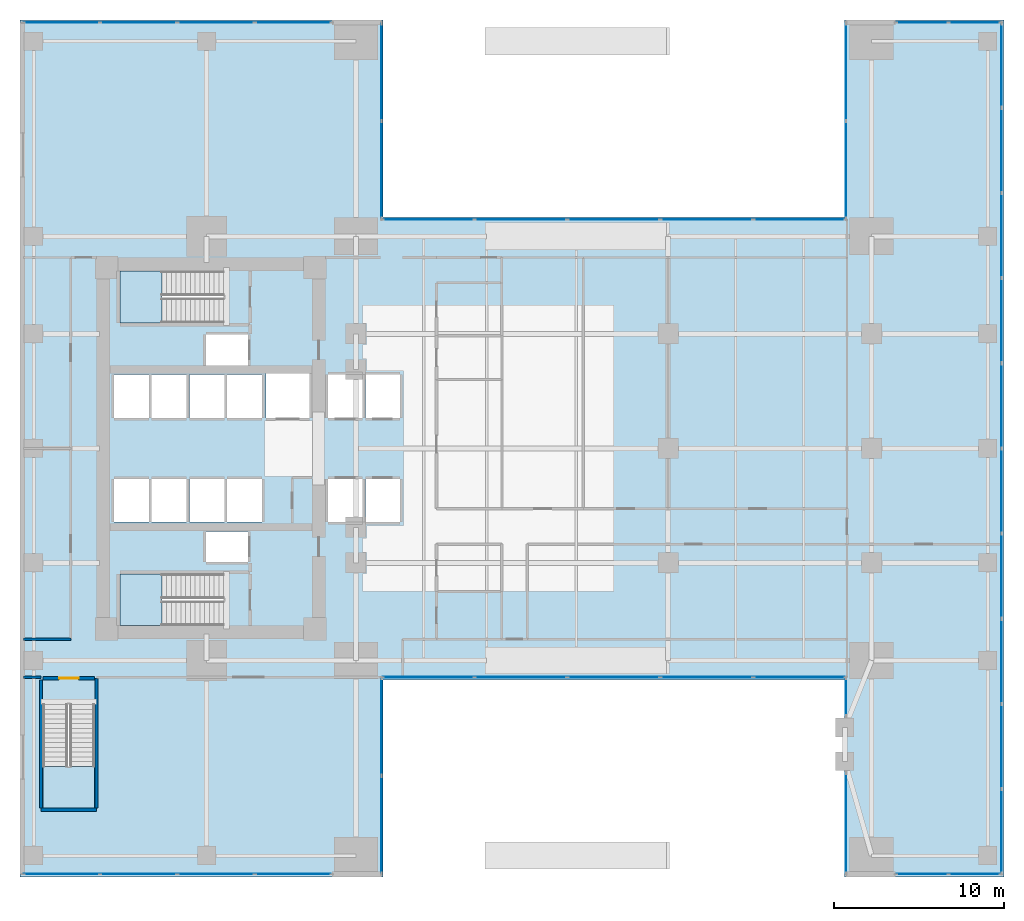
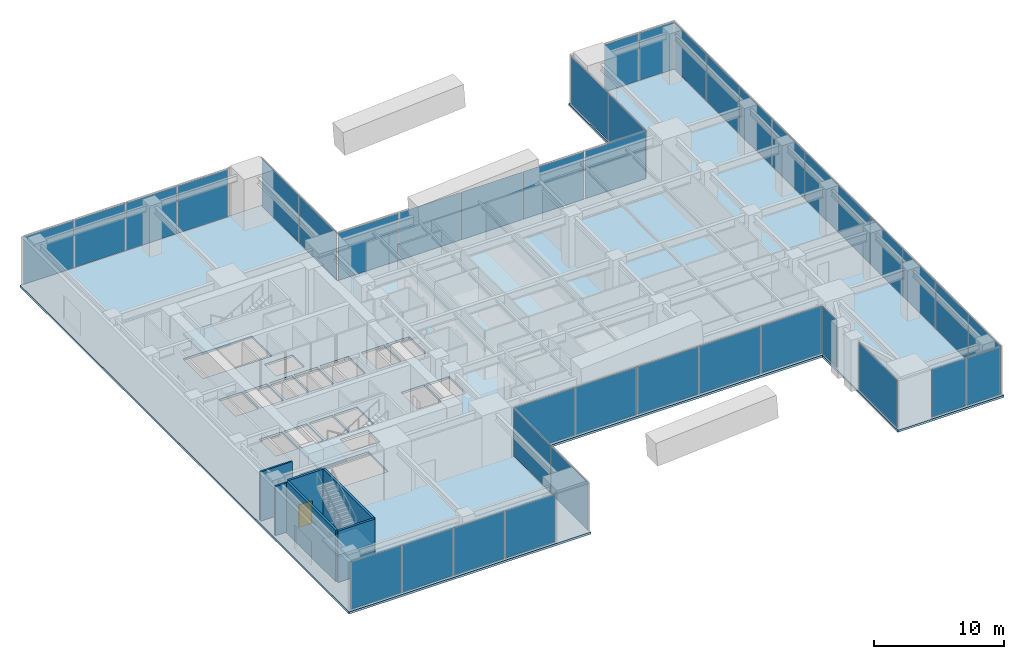
# One storey, part 7 of 13: 40 plates, 6 walls, 4 slabs, 1 door, 1 opening, 15 elements without a shape of their own.
"""IFC4 building model written with IfcOpenShell, lengths in metres."""

from ifc_helpers import new_model, si_unit, direction, frame, frame_2d, origin, origin_2d, place, context, subcontext, project, spatial, polyline, rectangle, outline, extrude, material, layer, layer_set, type_object, element, fill, aggregate, save


model = new_model("IFC4")

# Units and contexts
model_context = context("Model", 3, precision=1e-05, world=origin(), true_north=direction((0.0, 1.0)))
body_context = subcontext(model_context, "Body", "Model", "MODEL_VIEW")
ifc_project = project(units=[si_unit("LENGTHUNIT", "METRE"), si_unit("AREAUNIT", "SQUARE_METRE"), si_unit("VOLUMEUNIT", "CUBIC_METRE"), si_unit("PLANEANGLEUNIT", "RADIAN"), si_unit("MASSUNIT", "GRAM", prefix="KILO")], contexts=[model_context])

# Site, building, storey
site_placement = place(None, origin())
site = spatial("IfcSite", under=ifc_project, at=site_placement, CompositionType="ELEMENT")
building_placement = place(site_placement, origin())
building = spatial("IfcBuilding", under=site, at=building_placement, Name="Kinhvarn Gate Tower", CompositionType="ELEMENT")
storey_placement = place(building_placement, frame((0.0, 0.0, 10.800048828125)))
storey = spatial("IfcBuildingStorey", under=building, at=storey_placement, Name="L02", CompositionType="ELEMENT", Elevation=10.800048828125)

# Curtain wall, plates
ifc_material_1 = material(Name="Anodised aluminium AW-6063", Category="aluminium")
ifc_layer_1 = layer(ifc_material_1, 0.219970703125)
ifc_layer_set_1 = layer_set([ifc_layer_1], Name="Anodised aluminium AW-6063")
curtain_wall_type = type_object("IfcCurtainWallType", Name="CW-SYS-1", PredefinedType="NOTDEFINED", material=ifc_layer_set_1)
curtain_wall_1_placement = place(storey_placement, origin())
curtain_wall_1 = element("IfcCurtainWall", 1, at=curtain_wall_1_placement, inside=storey, type_object=curtain_wall_type, Name="Curtain Wall CW1 (L02)", PredefinedType="NOTDEFINED")
ifc_material_2 = material(Name="Clear low-e double glazing", Category="glass")
ifc_layer_2 = layer(ifc_material_2, 0.031982421875)
ifc_layer_set_2 = layer_set([ifc_layer_2], Name="Clear low-e double glazing")
plate_type = type_object("IfcPlateType", Name="CW-PNL-VIS", PredefinedType="CURTAIN_PANEL", material=ifc_layer_set_2)
plate_1_placement = place(storey_placement, frame((2.451171875, 0.14990234375, 0.080078125), z_axis=(0.0, 0.0, 1.0), x_axis=(1.0, 0.0, 0.0)))
plate_1 = element("IfcPlate", 2, at=plate_1_placement, type_object=plate_type, Name="CW1 panel 1.1", PredefinedType="CURTAIN_PANEL", context=body_context, shape_type="SweptSolid", body=[
    extrude(rectangle(XDim=4.4423828125, YDim=0.031982421875, at=origin_2d()), origin(), (0.0, 0.0, 1.0), 4.43994140625),
])
plate_2_placement = place(storey_placement, frame((6.99365234375, 0.14990234375, 0.080078125), z_axis=(0.0, 0.0, 1.0), x_axis=(1.0, 0.0, 0.0)))
plate_2 = element("IfcPlate", 3, at=plate_2_placement, type_object=plate_type, Name="CW1 panel 2.1", PredefinedType="CURTAIN_PANEL", context=body_context, shape_type="SweptSolid", body=[
    extrude(rectangle(XDim=4.482421875, YDim=0.031982421875, at=origin_2d()), origin(), (0.0, 0.0, 1.0), 4.43994140625),
])
plate_3_placement = place(storey_placement, frame((11.55615234375, 0.14990234375, 0.080078125), z_axis=(0.0, 0.0, 1.0), x_axis=(1.0, 0.0, 0.0)))
plate_3 = element("IfcPlate", 4, at=plate_3_placement, type_object=plate_type, Name="CW1 panel 3.1", PredefinedType="CURTAIN_PANEL", context=body_context, shape_type="SweptSolid", body=[
    extrude(rectangle(XDim=4.482421875, YDim=0.031982421875, at=origin_2d()), origin(), (0.0, 0.0, 1.0), 4.43994140625),
])
plate_4_placement = place(storey_placement, frame((16.0986328125, 0.14990234375, 0.080078125), z_axis=(0.0, 0.0, 1.0), x_axis=(1.0, 0.0, 0.0)))
plate_4 = element("IfcPlate", 5, at=plate_4_placement, type_object=plate_type, Name="CW1 panel 4.1", PredefinedType="CURTAIN_PANEL", context=body_context, shape_type="SweptSolid", body=[
    extrude(rectangle(XDim=4.4423828125, YDim=0.031982421875, at=origin_2d()), origin(), (0.0, 0.0, 1.0), 4.43994140625),
])
aggregate(curtain_wall_1, [plate_1, plate_2, plate_3, plate_4])

curtain_wall_2_placement = place(storey_placement, origin())
curtain_wall_2 = element("IfcCurtainWall", 6, at=curtain_wall_2_placement, inside=storey, type_object=curtain_wall_type, Name="Curtain Wall CW1 (L02)", PredefinedType="NOTDEFINED")
plate_5_placement = place(storey_placement, frame((53.1826171875, 0.14990234375, 0.080078125), z_axis=(0.0, 0.0, 1.0), x_axis=(1.0, 0.0, 0.0)))
plate_5 = element("IfcPlate", 7, at=plate_5_placement, type_object=plate_type, Name="CW1 panel 1.1", PredefinedType="CURTAIN_PANEL", context=body_context, shape_type="SweptSolid", body=[
    extrude(rectangle(XDim=3.0048828125, YDim=0.031982421875, at=origin_2d()), origin(), (0.0, 0.0, 1.0), 4.43994140625),
])
plate_6_placement = place(storey_placement, frame((56.267578125, 0.14990234375, 0.080078125), z_axis=(0.0, 0.0, 1.0), x_axis=(1.0, 0.0, 0.0)))
plate_6 = element("IfcPlate", 8, at=plate_6_placement, type_object=plate_type, Name="CW1 panel 2.1", PredefinedType="CURTAIN_PANEL", context=body_context, shape_type="SweptSolid", body=[
    extrude(rectangle(XDim=3.0048828125, YDim=0.031982421875, at=origin_2d()), origin(), (0.0, 0.0, 1.0), 4.43994140625),
])
aggregate(curtain_wall_2, [plate_5, plate_6])

curtain_wall_3_placement = place(storey_placement, origin())
curtain_wall_3 = element("IfcCurtainWall", 9, at=curtain_wall_3_placement, inside=storey, type_object=curtain_wall_type, Name="Curtain Wall CW1 (L02)", PredefinedType="NOTDEFINED")
plate_7_placement = place(storey_placement, frame((57.85009765625, 2.679931640625, 0.080078125), z_axis=(0.0, 0.0, 1.0), x_axis=(0.0, 1.0, 0.0)))
plate_7 = element("IfcPlate", 10, at=plate_7_placement, type_object=plate_type, Name="CW1 panel 1.1", PredefinedType="CURTAIN_PANEL", context=body_context, shape_type="SweptSolid", body=[
    extrude(rectangle(XDim=4.89990234375, YDim=0.031982421875, at=origin_2d()), origin(), (0.0, 0.0, 1.0), 4.43994140625),
])
plate_8_placement = place(storey_placement, frame((57.85009765625, 7.679931640625, 0.080078125), z_axis=(0.0, 0.0, 1.0), x_axis=(0.0, 1.0, 0.0)))
plate_8 = element("IfcPlate", 11, at=plate_8_placement, type_object=plate_type, Name="CW1 panel 2.1", PredefinedType="CURTAIN_PANEL", context=body_context, shape_type="SweptSolid", body=[
    extrude(rectangle(XDim=4.93994140625, YDim=0.031982421875, at=origin_2d()), origin(), (0.0, 0.0, 1.0), 4.43994140625),
])
plate_9_placement = place(storey_placement, frame((57.85009765625, 12.699951171875, 0.080078125), z_axis=(0.0, 0.0, 1.0), x_axis=(0.0, 1.0, 0.0)))
plate_9 = element("IfcPlate", 12, at=plate_9_placement, type_object=plate_type, Name="CW1 panel 3.1", PredefinedType="CURTAIN_PANEL", context=body_context, shape_type="SweptSolid", body=[
    extrude(rectangle(XDim=4.93994140625, YDim=0.031982421875, at=origin_2d()), origin(), (0.0, 0.0, 1.0), 4.43994140625),
])
plate_10_placement = place(storey_placement, frame((57.85009765625, 17.719970703125, 0.080078125), z_axis=(0.0, 0.0, 1.0), x_axis=(0.0, 1.0, 0.0)))
plate_10 = element("IfcPlate", 13, at=plate_10_placement, type_object=plate_type, Name="CW1 panel 4.1", PredefinedType="CURTAIN_PANEL", context=body_context, shape_type="SweptSolid", body=[
    extrude(rectangle(XDim=4.93994140625, YDim=0.031982421875, at=origin_2d()), origin(), (0.0, 0.0, 1.0), 4.43994140625),
])
plate_11_placement = place(storey_placement, frame((57.85009765625, 22.739990234375, 0.080078125), z_axis=(0.0, 0.0, 1.0), x_axis=(0.0, 1.0, 0.0)))
plate_11 = element("IfcPlate", 14, at=plate_11_placement, type_object=plate_type, Name="CW1 panel 5.1", PredefinedType="CURTAIN_PANEL", context=body_context, shape_type="SweptSolid", body=[
    extrude(rectangle(XDim=4.93994140625, YDim=0.031982421875, at=origin_2d()), origin(), (0.0, 0.0, 1.0), 4.43994140625),
])
plate_12_placement = place(storey_placement, frame((57.85009765625, 27.760009765625, 0.080078125), z_axis=(0.0, 0.0, 1.0), x_axis=(0.0, 1.0, 0.0)))
plate_12 = element("IfcPlate", 15, at=plate_12_placement, type_object=plate_type, Name="CW1 panel 6.1", PredefinedType="CURTAIN_PANEL", context=body_context, shape_type="SweptSolid", body=[
    extrude(rectangle(XDim=4.93994140625, YDim=0.031982421875, at=origin_2d()), origin(), (0.0, 0.0, 1.0), 4.43994140625),
])
plate_13_placement = place(storey_placement, frame((57.85009765625, 32.780029296875, 0.080078125), z_axis=(0.0, 0.0, 1.0), x_axis=(0.0, 1.0, 0.0)))
plate_13 = element("IfcPlate", 16, at=plate_13_placement, type_object=plate_type, Name="CW1 panel 7.1", PredefinedType="CURTAIN_PANEL", context=body_context, shape_type="SweptSolid", body=[
    extrude(rectangle(XDim=4.93994140625, YDim=0.031982421875, at=origin_2d()), origin(), (0.0, 0.0, 1.0), 4.43994140625),
])
plate_14_placement = place(storey_placement, frame((57.85009765625, 37.800048828125, 0.080078125), z_axis=(0.0, 0.0, 1.0), x_axis=(0.0, 1.0, 0.0)))
plate_14 = element("IfcPlate", 17, at=plate_14_placement, type_object=plate_type, Name="CW1 panel 8.1", PredefinedType="CURTAIN_PANEL", context=body_context, shape_type="SweptSolid", body=[
    extrude(rectangle(XDim=4.93994140625, YDim=0.031982421875, at=origin_2d()), origin(), (0.0, 0.0, 1.0), 4.43994140625),
])
plate_15_placement = place(storey_placement, frame((57.85009765625, 42.820068359375, 0.080078125), z_axis=(0.0, 0.0, 1.0), x_axis=(0.0, 1.0, 0.0)))
plate_15 = element("IfcPlate", 18, at=plate_15_placement, type_object=plate_type, Name="CW1 panel 9.1", PredefinedType="CURTAIN_PANEL", context=body_context, shape_type="SweptSolid", body=[
    extrude(rectangle(XDim=4.93994140625, YDim=0.031982421875, at=origin_2d()), origin(), (0.0, 0.0, 1.0), 4.43994140625),
])
plate_16_placement = place(storey_placement, frame((57.85009765625, 47.820068359375, 0.080078125), z_axis=(0.0, 0.0, 1.0), x_axis=(0.0, 1.0, 0.0)))
plate_16 = element("IfcPlate", 19, at=plate_16_placement, type_object=plate_type, Name="CW1 panel 10.1", PredefinedType="CURTAIN_PANEL", context=body_context, shape_type="SweptSolid", body=[
    extrude(rectangle(XDim=4.89990234375, YDim=0.031982421875, at=origin_2d()), origin(), (0.0, 0.0, 1.0), 4.43994140625),
])
aggregate(curtain_wall_3, [plate_7, plate_8, plate_9, plate_10, plate_11, plate_12, plate_13, plate_14, plate_15, plate_16])

curtain_wall_4_placement = place(storey_placement, origin())
curtain_wall_4 = element("IfcCurtainWall", 20, at=curtain_wall_4_placement, inside=storey, type_object=curtain_wall_type, Name="Curtain Wall CW1 (L02)", PredefinedType="NOTDEFINED")
plate_17_placement = place(storey_placement, frame((56.267578125, 50.35009765625, 0.080078125), z_axis=(0.0, 0.0, 1.0), x_axis=(-1.0, 0.0, 0.0)))
plate_17 = element("IfcPlate", 21, at=plate_17_placement, type_object=plate_type, Name="CW1 panel 1.1", PredefinedType="CURTAIN_PANEL", context=body_context, shape_type="SweptSolid", body=[
    extrude(rectangle(XDim=3.0048828125, YDim=0.031982421875, at=origin_2d()), origin(), (0.0, 0.0, 1.0), 4.43994140625),
])
plate_18_placement = place(storey_placement, frame((53.1826171875, 50.35009765625, 0.080078125), z_axis=(0.0, 0.0, 1.0), x_axis=(-1.0, 0.0, 0.0)))
plate_18 = element("IfcPlate", 22, at=plate_18_placement, type_object=plate_type, Name="CW1 panel 2.1", PredefinedType="CURTAIN_PANEL", context=body_context, shape_type="SweptSolid", body=[
    extrude(rectangle(XDim=3.0048828125, YDim=0.031982421875, at=origin_2d()), origin(), (0.0, 0.0, 1.0), 4.43994140625),
])
aggregate(curtain_wall_4, [plate_17, plate_18])

curtain_wall_5_placement = place(storey_placement, origin())
curtain_wall_5 = element("IfcCurtainWall", 23, at=curtain_wall_5_placement, inside=storey, type_object=curtain_wall_type, Name="Curtain Wall CW1 (L02)", PredefinedType="NOTDEFINED")
plate_19_placement = place(storey_placement, frame((16.0986328125, 50.35009765625, 0.080078125), z_axis=(0.0, 0.0, 1.0), x_axis=(-1.0, 0.0, 0.0)))
plate_19 = element("IfcPlate", 24, at=plate_19_placement, type_object=plate_type, Name="CW1 panel 1.1", PredefinedType="CURTAIN_PANEL", context=body_context, shape_type="SweptSolid", body=[
    extrude(rectangle(XDim=4.4423828125, YDim=0.031982421875, at=origin_2d()), origin(), (0.0, 0.0, 1.0), 4.43994140625),
])
plate_20_placement = place(storey_placement, frame((11.55615234375, 50.35009765625, 0.080078125), z_axis=(0.0, 0.0, 1.0), x_axis=(-1.0, 0.0, 0.0)))
plate_20 = element("IfcPlate", 25, at=plate_20_placement, type_object=plate_type, Name="CW1 panel 2.1", PredefinedType="CURTAIN_PANEL", context=body_context, shape_type="SweptSolid", body=[
    extrude(rectangle(XDim=4.482421875, YDim=0.031982421875, at=origin_2d()), origin(), (0.0, 0.0, 1.0), 4.43994140625),
])
plate_21_placement = place(storey_placement, frame((6.99365234375, 50.35009765625, 0.080078125), z_axis=(0.0, 0.0, 1.0), x_axis=(-1.0, 0.0, 0.0)))
plate_21 = element("IfcPlate", 26, at=plate_21_placement, type_object=plate_type, Name="CW1 panel 3.1", PredefinedType="CURTAIN_PANEL", context=body_context, shape_type="SweptSolid", body=[
    extrude(rectangle(XDim=4.482421875, YDim=0.031982421875, at=origin_2d()), origin(), (0.0, 0.0, 1.0), 4.43994140625),
])
plate_22_placement = place(storey_placement, frame((2.451171875, 50.35009765625, 0.080078125), z_axis=(0.0, 0.0, 1.0), x_axis=(-1.0, 0.0, 0.0)))
plate_22 = element("IfcPlate", 27, at=plate_22_placement, type_object=plate_type, Name="CW1 panel 4.1", PredefinedType="CURTAIN_PANEL", context=body_context, shape_type="SweptSolid", body=[
    extrude(rectangle(XDim=4.4423828125, YDim=0.031982421875, at=origin_2d()), origin(), (0.0, 0.0, 1.0), 4.43994140625),
])
aggregate(curtain_wall_5, [plate_19, plate_20, plate_21, plate_22])

curtain_wall_6_placement = place(storey_placement, origin())
curtain_wall_6 = element("IfcCurtainWall", 28, at=curtain_wall_6_placement, inside=storey, type_object=curtain_wall_type, Name="Curtain Wall CW1 (L02)", PredefinedType="NOTDEFINED")
plate_23_placement = place(storey_placement, frame((21.31005859375, 3.072509765625, 0.080078125), z_axis=(0.0, 0.0, 1.0), x_axis=(0.0, 1.0, 0.0)))
plate_23 = element("IfcPlate", 29, at=plate_23_placement, type_object=plate_type, Name="CW1 panel 1.1", PredefinedType="CURTAIN_PANEL", context=body_context, shape_type="SweptSolid", body=[
    extrude(rectangle(XDim=5.68505859375, YDim=0.031982421875, at=origin_2d()), origin(), (0.0, 0.0, 1.0), 4.43994140625),
])
plate_24_placement = place(storey_placement, frame((21.31005859375, 8.83740234375, 0.080078125), z_axis=(0.0, 0.0, 1.0), x_axis=(0.0, 1.0, 0.0)))
plate_24 = element("IfcPlate", 30, at=plate_24_placement, type_object=plate_type, Name="CW1 panel 2.1", PredefinedType="CURTAIN_PANEL", context=body_context, shape_type="SweptSolid", body=[
    extrude(rectangle(XDim=5.68505859375, YDim=0.031982421875, at=origin_2d()), origin(), (0.0, 0.0, 1.0), 4.43994140625),
])
aggregate(curtain_wall_6, [plate_23, plate_24])

curtain_wall_7_placement = place(storey_placement, origin())
curtain_wall_7 = element("IfcCurtainWall", 31, at=curtain_wall_7_placement, inside=storey, type_object=curtain_wall_type, Name="Curtain Wall CW1 (L02)", PredefinedType="NOTDEFINED")
plate_25_placement = place(storey_placement, frame((24.068115234375, 11.760009765625, 0.080078125), z_axis=(0.0, 0.0, 1.0), x_axis=(1.0, 0.0, 0.0)))
plate_25 = element("IfcPlate", 32, at=plate_25_placement, type_object=plate_type, Name="CW1 panel 1.1", PredefinedType="CURTAIN_PANEL", context=body_context, shape_type="SweptSolid", body=[
    extrude(rectangle(XDim=5.35595703125, YDim=0.031982421875, at=origin_2d()), origin(), (0.0, 0.0, 1.0), 4.43994140625),
])
plate_26_placement = place(storey_placement, frame((29.52392578125, 11.760009765625, 0.080078125), z_axis=(0.0, 0.0, 1.0), x_axis=(1.0, 0.0, 0.0)))
plate_26 = element("IfcPlate", 33, at=plate_26_placement, type_object=plate_type, Name="CW1 panel 2.1", PredefinedType="CURTAIN_PANEL", context=body_context, shape_type="SweptSolid", body=[
    extrude(rectangle(XDim=5.39599609375, YDim=0.031982421875, at=origin_2d()), origin(), (0.0, 0.0, 1.0), 4.43994140625),
])
plate_27_placement = place(storey_placement, frame((35.0, 11.760009765625, 0.080078125), z_axis=(0.0, 0.0, 1.0), x_axis=(1.0, 0.0, 0.0)))
plate_27 = element("IfcPlate", 34, at=plate_27_placement, type_object=plate_type, Name="CW1 panel 3.1", PredefinedType="CURTAIN_PANEL", context=body_context, shape_type="SweptSolid", body=[
    extrude(rectangle(XDim=5.39599609375, YDim=0.031982421875, at=origin_2d()), origin(), (0.0, 0.0, 1.0), 4.43994140625),
])
plate_28_placement = place(storey_placement, frame((40.47607421875, 11.760009765625, 0.080078125), z_axis=(0.0, 0.0, 1.0), x_axis=(1.0, 0.0, 0.0)))
plate_28 = element("IfcPlate", 35, at=plate_28_placement, type_object=plate_type, Name="CW1 panel 4.1", PredefinedType="CURTAIN_PANEL", context=body_context, shape_type="SweptSolid", body=[
    extrude(rectangle(XDim=5.39599609375, YDim=0.031982421875, at=origin_2d()), origin(), (0.0, 0.0, 1.0), 4.43994140625),
])
plate_29_placement = place(storey_placement, frame((45.931884765625, 11.760009765625, 0.080078125), z_axis=(0.0, 0.0, 1.0), x_axis=(1.0, 0.0, 0.0)))
plate_29 = element("IfcPlate", 36, at=plate_29_placement, type_object=plate_type, Name="CW1 panel 5.1", PredefinedType="CURTAIN_PANEL", context=body_context, shape_type="SweptSolid", body=[
    extrude(rectangle(XDim=5.35595703125, YDim=0.031982421875, at=origin_2d()), origin(), (0.0, 0.0, 1.0), 4.43994140625),
])
aggregate(curtain_wall_7, [plate_25, plate_26, plate_27, plate_28, plate_29])

# Curtain wall, plate
curtain_wall_8_placement = place(storey_placement, origin())
curtain_wall_8 = element("IfcCurtainWall", 37, at=curtain_wall_8_placement, inside=storey, type_object=curtain_wall_type, Name="Curtain Wall CW1 (L02)", PredefinedType="NOTDEFINED")
plate_30_placement = place(storey_placement, frame((48.68994140625, 10.594970703125, 0.080078125), z_axis=(0.0, 0.0, 1.0), x_axis=(0.0, -1.0, 0.0)))
plate_30 = element("IfcPlate", 38, at=plate_30_placement, type_object=plate_type, Name="CW1 panel 1.1", PredefinedType="CURTAIN_PANEL", context=body_context, shape_type="SweptSolid", body=[
    extrude(rectangle(XDim=2.169921875, YDim=0.031982421875, at=origin_2d()), origin(), (0.0, 0.0, 1.0), 4.43994140625),
])
aggregate(curtain_wall_8, [plate_30])

curtain_wall_9_placement = place(storey_placement, origin())
curtain_wall_9 = element("IfcCurtainWall", 39, at=curtain_wall_9_placement, inside=storey, type_object=curtain_wall_type, Name="Curtain Wall CW1 (L02)", PredefinedType="NOTDEFINED")
plate_31_placement = place(storey_placement, frame((48.68994140625, 3.159912109375, 0.080078125), z_axis=(0.0, 0.0, 1.0), x_axis=(0.0, -1.0, 0.0)))
plate_31 = element("IfcPlate", 40, at=plate_31_placement, type_object=plate_type, Name="CW1 panel 1.1", PredefinedType="CURTAIN_PANEL", context=body_context, shape_type="SweptSolid", body=[
    extrude(rectangle(XDim=5.860107421875, YDim=0.031982421875, at=origin_2d()), origin(), (0.0, 0.0, 1.0), 4.43994140625),
])
aggregate(curtain_wall_9, [plate_31])

# Curtain wall, plates
curtain_wall_10_placement = place(storey_placement, origin())
curtain_wall_10 = element("IfcCurtainWall", 41, at=curtain_wall_10_placement, inside=storey, type_object=curtain_wall_type, Name="Curtain Wall CW1 (L02)", PredefinedType="NOTDEFINED")
plate_32_placement = place(storey_placement, frame((48.68994140625, 47.427490234375, 0.080078125), z_axis=(0.0, 0.0, 1.0), x_axis=(0.0, -1.0, 0.0)))
plate_32 = element("IfcPlate", 42, at=plate_32_placement, type_object=plate_type, Name="CW1 panel 1.1", PredefinedType="CURTAIN_PANEL", context=body_context, shape_type="SweptSolid", body=[
    extrude(rectangle(XDim=5.68505859375, YDim=0.031982421875, at=origin_2d()), origin(), (0.0, 0.0, 1.0), 4.43994140625),
])
plate_33_placement = place(storey_placement, frame((48.68994140625, 41.66259765625, 0.080078125), z_axis=(0.0, 0.0, 1.0), x_axis=(0.0, -1.0, 0.0)))
plate_33 = element("IfcPlate", 43, at=plate_33_placement, type_object=plate_type, Name="CW1 panel 2.1", PredefinedType="CURTAIN_PANEL", context=body_context, shape_type="SweptSolid", body=[
    extrude(rectangle(XDim=5.68505859375, YDim=0.031982421875, at=origin_2d()), origin(), (0.0, 0.0, 1.0), 4.43994140625),
])
aggregate(curtain_wall_10, [plate_32, plate_33])

curtain_wall_11_placement = place(storey_placement, origin())
curtain_wall_11 = element("IfcCurtainWall", 44, at=curtain_wall_11_placement, inside=storey, type_object=curtain_wall_type, Name="Curtain Wall CW1 (L02)", PredefinedType="NOTDEFINED")
plate_34_placement = place(storey_placement, frame((45.931884765625, 38.739990234375, 0.080078125), z_axis=(0.0, 0.0, 1.0), x_axis=(-1.0, 0.0, 0.0)))
plate_34 = element("IfcPlate", 45, at=plate_34_placement, type_object=plate_type, Name="CW1 panel 1.1", PredefinedType="CURTAIN_PANEL", context=body_context, shape_type="SweptSolid", body=[
    extrude(rectangle(XDim=5.35595703125, YDim=0.031982421875, at=origin_2d()), origin(), (0.0, 0.0, 1.0), 4.43994140625),
])
plate_35_placement = place(storey_placement, frame((40.47607421875, 38.739990234375, 0.080078125), z_axis=(0.0, 0.0, 1.0), x_axis=(-1.0, 0.0, 0.0)))
plate_35 = element("IfcPlate", 46, at=plate_35_placement, type_object=plate_type, Name="CW1 panel 2.1", PredefinedType="CURTAIN_PANEL", context=body_context, shape_type="SweptSolid", body=[
    extrude(rectangle(XDim=5.39599609375, YDim=0.031982421875, at=origin_2d()), origin(), (0.0, 0.0, 1.0), 4.43994140625),
])
plate_36_placement = place(storey_placement, frame((35.0, 38.739990234375, 0.080078125), z_axis=(0.0, 0.0, 1.0), x_axis=(-1.0, 0.0, 0.0)))
plate_36 = element("IfcPlate", 47, at=plate_36_placement, type_object=plate_type, Name="CW1 panel 3.1", PredefinedType="CURTAIN_PANEL", context=body_context, shape_type="SweptSolid", body=[
    extrude(rectangle(XDim=5.39599609375, YDim=0.031982421875, at=origin_2d()), origin(), (0.0, 0.0, 1.0), 4.43994140625),
])
plate_37_placement = place(storey_placement, frame((29.52392578125, 38.739990234375, 0.080078125), z_axis=(0.0, 0.0, 1.0), x_axis=(-1.0, 0.0, 0.0)))
plate_37 = element("IfcPlate", 48, at=plate_37_placement, type_object=plate_type, Name="CW1 panel 4.1", PredefinedType="CURTAIN_PANEL", context=body_context, shape_type="SweptSolid", body=[
    extrude(rectangle(XDim=5.39599609375, YDim=0.031982421875, at=origin_2d()), origin(), (0.0, 0.0, 1.0), 4.43994140625),
])
plate_38_placement = place(storey_placement, frame((24.068115234375, 38.739990234375, 0.080078125), z_axis=(0.0, 0.0, 1.0), x_axis=(-1.0, 0.0, 0.0)))
plate_38 = element("IfcPlate", 49, at=plate_38_placement, type_object=plate_type, Name="CW1 panel 5.1", PredefinedType="CURTAIN_PANEL", context=body_context, shape_type="SweptSolid", body=[
    extrude(rectangle(XDim=5.35595703125, YDim=0.031982421875, at=origin_2d()), origin(), (0.0, 0.0, 1.0), 4.43994140625),
])
aggregate(curtain_wall_11, [plate_34, plate_35, plate_36, plate_37, plate_38])

curtain_wall_12_placement = place(storey_placement, origin())
curtain_wall_12 = element("IfcCurtainWall", 50, at=curtain_wall_12_placement, inside=storey, type_object=curtain_wall_type, Name="Curtain Wall CW1 (L02)", PredefinedType="NOTDEFINED")
plate_39_placement = place(storey_placement, frame((21.31005859375, 41.66259765625, 0.080078125), z_axis=(0.0, 0.0, 1.0), x_axis=(0.0, 1.0, 0.0)))
plate_39 = element("IfcPlate", 51, at=plate_39_placement, type_object=plate_type, Name="CW1 panel 1.1", PredefinedType="CURTAIN_PANEL", context=body_context, shape_type="SweptSolid", body=[
    extrude(rectangle(XDim=5.68505859375, YDim=0.031982421875, at=origin_2d()), origin(), (0.0, 0.0, 1.0), 4.43994140625),
])
plate_40_placement = place(storey_placement, frame((21.31005859375, 47.427490234375, 0.080078125), z_axis=(0.0, 0.0, 1.0), x_axis=(0.0, 1.0, 0.0)))
plate_40 = element("IfcPlate", 52, at=plate_40_placement, type_object=plate_type, Name="CW1 panel 2.1", PredefinedType="CURTAIN_PANEL", context=body_context, shape_type="SweptSolid", body=[
    extrude(rectangle(XDim=5.68505859375, YDim=0.031982421875, at=origin_2d()), origin(), (0.0, 0.0, 1.0), 4.43994140625),
])
aggregate(curtain_wall_12, [plate_39, plate_40])

# Slab
ifc_material_3 = material(Name="Concrete C40/50", Category="concrete")
ifc_layer_3 = layer(ifc_material_3, 0.199951171875)
ifc_layer_set_3 = layer_set([ifc_layer_3], Name="Concrete C40/50")
slab_type_1 = type_object("IfcSlabType", Name="SLB-FLR-200", PredefinedType="FLOOR", material=ifc_layer_set_3)
slab_1_placement = place(storey_placement, frame((0.0, 0.0, -0.199951171875)))
element("IfcSlab", 53, at=slab_1_placement, inside=storey, type_object=slab_type_1, Name="Suspended Floor Slab L02", PredefinedType="FLOOR", context=body_context, shape_type="SweptSolid", body=[
    extrude(outline(polyline([(0.0, 0.0), (0.0, 50.5), (21.39990234375, 50.5), (21.39990234375, 38.89990234375), (48.60009765625, 38.89990234375), (48.60009765625, 50.5), (58.0, 50.5), (58.0, 0.0), (48.60009765625, 0.0), (48.60009765625, 11.60009765625), (21.39990234375, 11.60009765625), (21.39990234375, 0.0), (0.0, 0.0)]), holes=[polyline([(5.89990234375, 14.800048828125), (12.0, 14.800048828125), (12.0, 17.85009765625), (5.89990234375, 17.85009765625), (5.89990234375, 14.800048828125)]), polyline([(5.89990234375, 32.64990234375), (12.0, 32.64990234375), (12.0, 35.699951171875), (5.89990234375, 35.699951171875), (5.89990234375, 32.64990234375)]), polyline([(1.35009765625, 4.050048828125), (4.39990234375, 4.050048828125), (4.39990234375, 10.14990234375), (1.35009765625, 10.14990234375), (1.35009765625, 4.050048828125)]), polyline([(18.14990234375, 20.89990234375), (20.199951171875, 20.89990234375), (20.199951171875, 23.449951171875), (18.14990234375, 23.449951171875), (18.14990234375, 20.89990234375)]), polyline([(20.35009765625, 20.89990234375), (22.39990234375, 20.89990234375), (22.39990234375, 23.449951171875), (20.35009765625, 23.449951171875), (20.35009765625, 20.89990234375)]), polyline([(18.14990234375, 27.050048828125), (20.199951171875, 27.050048828125), (20.199951171875, 29.60009765625), (18.14990234375, 29.60009765625), (18.14990234375, 27.050048828125)]), polyline([(20.35009765625, 27.050048828125), (22.39990234375, 27.050048828125), (22.39990234375, 29.60009765625), (20.35009765625, 29.60009765625), (20.35009765625, 27.050048828125)]), polyline([(5.550048828125, 20.89990234375), (7.60009765625, 20.89990234375), (7.60009765625, 23.449951171875), (5.550048828125, 23.449951171875), (5.550048828125, 20.89990234375)]), polyline([(7.75, 20.89990234375), (9.800048828125, 20.89990234375), (9.800048828125, 23.449951171875), (7.75, 23.449951171875), (7.75, 20.89990234375)]), polyline([(5.550048828125, 27.050048828125), (7.60009765625, 27.050048828125), (7.60009765625, 29.60009765625), (5.550048828125, 29.60009765625), (5.550048828125, 27.050048828125)]), polyline([(7.75, 27.050048828125), (9.800048828125, 27.050048828125), (9.800048828125, 29.60009765625), (7.75, 29.60009765625), (7.75, 27.050048828125)]), polyline([(10.0, 20.89990234375), (12.050048828125, 20.89990234375), (12.050048828125, 23.449951171875), (10.0, 23.449951171875), (10.0, 20.89990234375)]), polyline([(12.199951171875, 20.89990234375), (14.25, 20.89990234375), (14.25, 23.449951171875), (12.199951171875, 23.449951171875), (12.199951171875, 20.89990234375)]), polyline([(10.0, 27.050048828125), (12.050048828125, 27.050048828125), (12.050048828125, 29.60009765625), (10.0, 29.60009765625), (10.0, 27.050048828125)]), polyline([(12.199951171875, 27.050048828125), (14.25, 27.050048828125), (14.25, 29.60009765625), (12.199951171875, 29.60009765625), (12.199951171875, 27.050048828125)]), polyline([(14.5, 27.050048828125), (17.050048828125, 27.050048828125), (17.050048828125, 29.64990234375), (14.5, 29.64990234375), (14.5, 27.050048828125)]), polyline([(10.949951171875, 18.550048828125), (13.449951171875, 18.550048828125), (13.449951171875, 20.35009765625), (10.949951171875, 20.35009765625), (10.949951171875, 18.550048828125)]), polyline([(10.949951171875, 30.14990234375), (13.449951171875, 30.14990234375), (13.449951171875, 31.949951171875), (10.949951171875, 31.949951171875), (10.949951171875, 30.14990234375)])]), origin(), (0.0, 0.0, 1.0), 0.199951171875),
])

# Stair, slab
stair_type = type_object("IfcStairType", Name="STR-DLG-171", PredefinedType="HALF_TURN_STAIR", material=ifc_material_3)
stair_1_placement = place(storey_placement, origin())
stair_1 = element("IfcStair", 54, at=stair_1_placement, inside=storey, type_object=stair_type, Name="L02 Core Smokeproof Exit Stair ST1", PredefinedType="HALF_TURN_STAIR")
ifc_layer_4 = layer(ifc_material_3, 0.199951171875)
ifc_layer_set_4 = layer_set([ifc_layer_4], Name="Concrete C40/50")
slab_type_2 = type_object("IfcSlabType", Name="SLB-ST-LND", PredefinedType="LANDING", material=ifc_layer_set_4)
slab_2_placement = place(storey_placement, frame((0.0, 0.0, 2.199951171875)))
slab_2 = element("IfcSlab", 55, at=slab_2_placement, type_object=slab_type_2, Name="ST1 landing 1", PredefinedType="LANDING", context=body_context, shape_type="SweptSolid", body=[
    extrude(outline(polyline([(8.360107421875, 17.85009765625), (5.89990234375, 17.85009765625), (5.89990234375, 14.800048828125), (8.360107421875, 14.800048828125), (8.360107421875, 17.85009765625)])), origin(), (0.0, 0.0, 1.0), 0.199951171875),
])
aggregate(stair_1, [slab_2])

stair_2_placement = place(storey_placement, origin())
stair_2 = element("IfcStair", 56, at=stair_2_placement, inside=storey, type_object=stair_type, Name="L02 Core Smokeproof Exit Stair ST2", PredefinedType="HALF_TURN_STAIR")
slab_3_placement = place(storey_placement, frame((0.0, 0.0, 2.199951171875)))
slab_3 = element("IfcSlab", 57, at=slab_3_placement, type_object=slab_type_2, Name="ST2 landing 1", PredefinedType="LANDING", context=body_context, shape_type="SweptSolid", body=[
    extrude(outline(polyline([(8.360107421875, 35.699951171875), (5.89990234375, 35.699951171875), (5.89990234375, 32.64990234375), (8.360107421875, 32.64990234375), (8.360107421875, 35.699951171875)])), origin(), (0.0, 0.0, 1.0), 0.199951171875),
])
aggregate(stair_2, [slab_3])

stair_3_placement = place(storey_placement, origin())
stair_3 = element("IfcStair", 58, at=stair_3_placement, inside=storey, type_object=stair_type, Name="L02 Podium & Basement Protected Exit Stair ST3", PredefinedType="HALF_TURN_STAIR")
slab_4_placement = place(storey_placement, frame((0.0, 0.0, 2.199951171875)))
slab_4 = element("IfcSlab", 59, at=slab_4_placement, type_object=slab_type_2, Name="ST3 landing 1", PredefinedType="LANDING", context=body_context, shape_type="SweptSolid", body=[
    extrude(outline(polyline([(1.35009765625, 6.510009765625), (1.35009765625, 4.050048828125), (4.39990234375, 4.050048828125), (4.39990234375, 6.510009765625), (1.35009765625, 6.510009765625)])), origin(), (0.0, 0.0, 1.0), 0.199951171875),
])
aggregate(stair_3, [slab_4])

# Walls
ifc_material_4 = material(Name="Gypsum acoustic partition board")
ifc_layer_5 = layer(ifc_material_4, 0.14990234375)
ifc_layer_set_5 = layer_set([ifc_layer_5], Name="Gypsum acoustic partition board")
wall_type_1 = type_object("IfcWallType", Name="WL-PRT-150F", PredefinedType="PARTITIONING", material=ifc_layer_set_5)
wall_1_placement = place(storey_placement, frame((0.199951171875, 11.75, 0.0), z_axis=(0.0, 0.0, 1.0), x_axis=(1.0, 0.0, 0.0)))
element("IfcWall", 60, at=wall_1_placement, inside=storey, type_object=wall_type_1, Name="Interior Partition PW-150F (L02)", PredefinedType="PARTITIONING", context=body_context, shape_type="SweptSolid", body=[
    extrude(rectangle(XDim=1.0400390625, YDim=0.14990234375, at=frame_2d((0.52001953125, 0.0))), origin(), (0.0, 0.0, 1.0), 4.599853515625),
])
wall_2_placement = place(storey_placement, frame((0.199951171875, 14.0, 0.0), z_axis=(0.0, 0.0, 1.0), x_axis=(1.0, 0.0, 0.0)))
element("IfcWall", 61, at=wall_2_placement, inside=storey, type_object=wall_type_1, Name="Interior Partition PW-150F (L02)", PredefinedType="PARTITIONING", context=body_context, shape_type="SweptSolid", body=[
    extrude(rectangle(XDim=2.800048828125, YDim=0.14990234375, at=frame_2d((1.39990234375, 0.0))), origin(), (0.0, 0.0, 1.0), 4.599853515625),
])
ifc_layer_6 = layer(ifc_material_3, 0.199951171875)
ifc_layer_set_6 = layer_set([ifc_layer_6], Name="Concrete C40/50")
wall_type_2 = type_object("IfcWallType", Name="WL-SHF-200", PredefinedType="SOLIDWALL", material=ifc_layer_set_6)
wall_3_placement = place(storey_placement, frame((1.25, 3.949951171875, 0.0), z_axis=(0.0, 0.0, 1.0), x_axis=(1.0, 0.0, 0.0)))
element("IfcWall", 62, at=wall_3_placement, inside=storey, type_object=wall_type_2, Name="Stair ST3 South Shaft Wall (L02)", PredefinedType="SOLIDWALL", context=body_context, shape_type="SweptSolid", body=[
    extrude(rectangle(XDim=3.25, YDim=0.199951171875, at=frame_2d((1.625, 0.0))), origin(), (0.0, 0.0, 1.0), 4.800048828125),
])
wall_4_placement = place(storey_placement, frame((1.239990234375, 4.050048828125, 0.0), z_axis=(0.0, 0.0, 1.0), x_axis=(0.0, 1.0, 0.0)))
element("IfcWall", 63, at=wall_4_placement, inside=storey, type_object=wall_type_2, Name="Stair ST3 West Shaft Wall (L02)", PredefinedType="SOLIDWALL", context=body_context, shape_type="SweptSolid", body=[
    extrude(rectangle(XDim=7.550048828125, YDim=0.199951171875, at=frame_2d((3.77490234375, 0.0))), origin(), (0.0, 0.0, 1.0), 4.800048828125),
])
wall_5_placement = place(storey_placement, frame((4.510009765625, 4.050048828125, 0.0), z_axis=(0.0, 0.0, 1.0), x_axis=(0.0, 1.0, 0.0)))
element("IfcWall", 64, at=wall_5_placement, inside=storey, type_object=wall_type_2, Name="Stair ST3 East Shaft Wall (L02)", PredefinedType="SOLIDWALL", context=body_context, shape_type="SweptSolid", body=[
    extrude(rectangle(XDim=7.64990234375, YDim=0.199951171875, at=frame_2d((3.824951171875, 0.0))), origin(), (0.0, 0.0, 1.0), 4.800048828125),
])

# Wall, opening, door
wall_6_placement = place(storey_placement, frame((1.35009765625, 11.7099609375, 0.0), z_axis=(0.0, 0.0, 1.0), x_axis=(1.0, 0.0, 0.0)))
wall_6 = element("IfcWall", 65, at=wall_6_placement, inside=storey, type_object=wall_type_2, Name="Stair ST3 North Entry Wall (L02)", PredefinedType="SOLIDWALL", context=body_context, shape_type="SweptSolid", body=[
    extrude(rectangle(XDim=3.0498046875, YDim=0.199951171875, at=frame_2d((1.52490234375, 0.0))), origin(), (0.0, 0.0, 1.0), 4.800048828125),
])
opening_placement = place(wall_6_placement, frame((0.949951171875, 0.0, 0.0)))
opening = element("IfcOpeningElement", 66, at=opening_placement, cuts=wall_6, Name="Opening FD-01", PredefinedType="OPENING", context=body_context, shape_type="SweptSolid", body=[
    extrude(rectangle(XDim=1.14990234375, YDim=2.14990234375, at=frame_2d((0.574951171875, 1.074951171875))), frame((0.0, 0.10986328125, 0.0), z_axis=(0.0, -1.0, 0.0), x_axis=(1.0, 0.0, 0.0)), (0.0, 0.0, 1.0), 0.219970703125),
])
door_type = type_object("IfcDoorType", Name="DR-ST-1150", OperationType="NOTDEFINED", PredefinedType="DOOR", material=ifc_material_1)
door_placement = place(opening_placement, origin())
door = element("IfcDoor", 67, at=door_placement, inside=storey, type_object=door_type, Name="Exit Stair ST3 Fire Door (L02)", OperationType="SINGLE_SWING_LEFT", OverallHeight=2.14990234375, OverallWidth=1.14990234375, PredefinedType="DOOR", context=body_context, shape_type="SweptSolid", body=[
    extrude(rectangle(XDim=1.14990234375, YDim=2.14990234375, at=frame_2d((0.574951171875, 1.074951171875))), frame((0.0, 0.02490234375, 0.0), z_axis=(0.0, -1.0, 0.0), x_axis=(1.0, 0.0, 0.0)), (0.0, 0.0, 1.0), 0.050048828125),
])
fill(opening, door)

save(model, "model.ifc")
